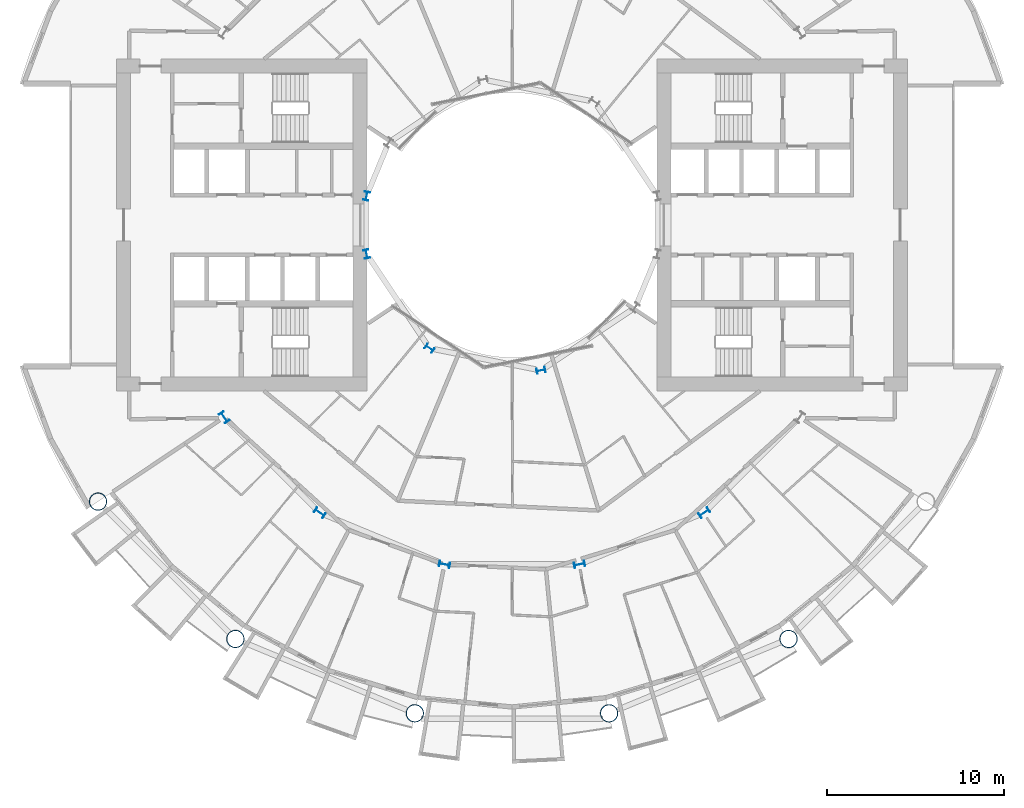
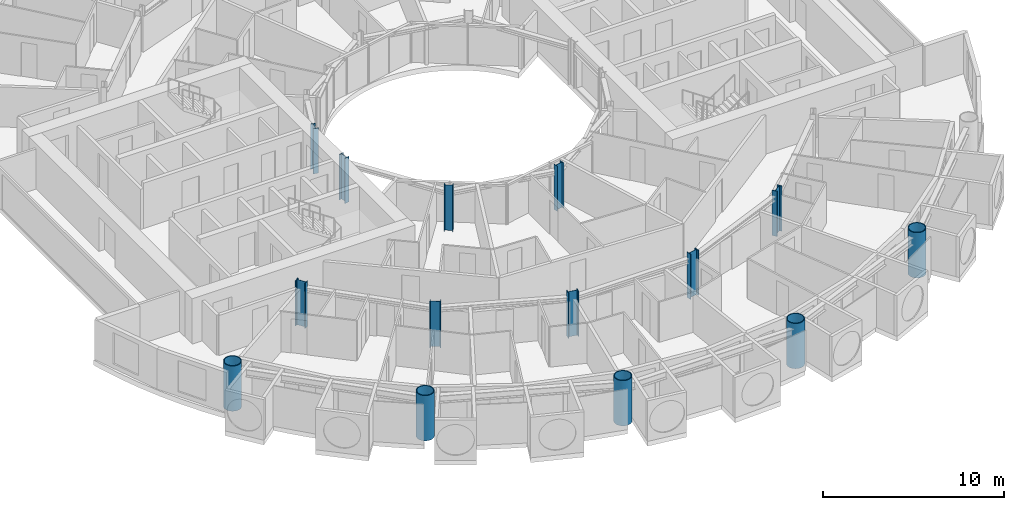
# One storey, part 1 of 25: 14 columns.
"""IFC4 building model written with IfcOpenShell, lengths in metres."""

from ifc_helpers import new_model, si_unit, direction, frame, origin, origin_2d, place, context, subcontext, project, spatial, hollow_circle, i_section, extrude, material, material_profile, profile_set, type_object, element, save


model = new_model("IFC4")

# Units and contexts
model_context = context("Model", 3, precision=1e-05, world=origin(), true_north=direction((0.0, 1.0)))
body_context = subcontext(model_context, "Body", "Model", "MODEL_VIEW")
ifc_project = project(units=[si_unit("LENGTHUNIT", "METRE"), si_unit("AREAUNIT", "SQUARE_METRE"), si_unit("VOLUMEUNIT", "CUBIC_METRE"), si_unit("PLANEANGLEUNIT", "RADIAN"), si_unit("MASSUNIT", "GRAM", prefix="KILO")], contexts=[model_context])

# Site, building, storey
site_placement = place(None, origin())
site = spatial("IfcSite", under=ifc_project, at=site_placement, CompositionType="ELEMENT")
building_placement = place(site_placement, origin())
building = spatial("IfcBuilding", under=site, at=building_placement, Name="Maasbend Ring Residences", CompositionType="ELEMENT")
storey_placement = place(building_placement, frame((0.0, 0.0, 41.10009765625)))
storey = spatial("IfcBuildingStorey", under=building, at=storey_placement, Name="L11", CompositionType="ELEMENT", Elevation=41.10009765625)

# Columns
ifc_material_1 = material(Name="Composite concrete-filled steel tube S460NH / C80/95", Category="concrete")
ifc_material_profile_1 = material_profile(ifc_material_1, hollow_circle(Radius=0.508056640625, WallThickness=0.050048828125, at=origin_2d()), Name="Composite tube column CHS 1016x50")
ifc_profile_set_1 = profile_set([ifc_material_profile_1], Name="Composite concrete-filled steel tube S460NH / C80/95")
column_type_1 = type_object("IfcColumnType", Name="Composite tube column CHS 1016x50", PredefinedType="COLUMN", material=ifc_profile_set_1)
for number, where, z_axis, x_axis, name in (
    (1, (-23.447509765625, -15.6669921875, 0.0), (0.0, 0.0, 1.0), (1.0, 0.0, 0.0), "Outer column R10"),
    (2, (-15.6669921875, -23.447509765625, 0.0), (0.0, 0.0, 1.0), (1.0, 0.0, 0.0), "Outer column R11"),
    (3, (-5.50146484375, -27.658203125, 0.0), (0.0, 0.0, 1.0), (1.0, 0.0, 0.0), "Outer column R12"),
    (4, (5.50146484375, -27.658203125, 0.0), (0.0, 0.0, 1.0), (1.0, 0.0, 0.0), "Outer column R13"),
    (5, (15.6669921875, -23.447509765625, 0.0), (0.0, 0.0, 1.0), (1.0, 0.0, 0.0), "Outer column R14"),
):
    element("IfcColumn", number, at=place(storey_placement, frame(where, z_axis=z_axis, x_axis=x_axis)), inside=storey, type_object=column_type_1, Name=name, PredefinedType="COLUMN", context=body_context, shape_type="SweptSolid", body=[
        extrude(hollow_circle(Radius=0.508056640625, WallThickness=0.050048828125, at=origin_2d()), origin(), (0.0, 0.0, 1.0), 3.0498046875),
    ])
ifc_material_2 = material(Name="Steel S355J2", Category="steel")
ifc_material_profile_2 = material_profile(ifc_material_2, i_section(OverallWidth=0.300048828125, OverallDepth=0.5, WebThickness=0.014404296875, FlangeThickness=0.028076171875, FilletRadius=0.027099609375, at=origin_2d()), Name="HEB 500")
ifc_profile_set_2 = profile_set([ifc_material_profile_2], Name="Steel S355J2")
column_type_2 = type_object("IfcColumnType", Name="Steel column HEB 500", PredefinedType="COLUMN", material=ifc_profile_set_2)
for number, where, z_axis, x_axis, name in (
    (6, (-8.238525390625, 1.638916015625, 0.0), (0.0, 0.0, 1.0), (-0.980785280403, 0.195090322016, 0.0), "Well ring column R8"),
    (7, (-8.238525390625, -1.638916015625, 0.0), (0.0, 0.0, 1.0), (-0.980785280403, -0.195090322016, 0.0), "Well ring column R9"),
    (8, (-4.666748046875, -6.984375, 0.0), (0.0, 0.0, 1.0), (-0.55557023302, -0.831469612303, 0.0), "Well ring column R11"),
    (9, (1.638916015625, -8.238525390625, 0.0), (0.0, 0.0, 1.0), (0.195090322016, -0.980785280403, 0.0), "Well ring column R13"),
):
    element("IfcColumn", number, at=place(storey_placement, frame(where, z_axis=z_axis, x_axis=x_axis)), inside=storey, type_object=column_type_2, Name=name, PredefinedType="COLUMN", context=body_context, shape_type="SweptSolid", body=[
        extrude(i_section(OverallWidth=0.300048828125, OverallDepth=0.5, WebThickness=0.014404296875, FlangeThickness=0.028076171875, FilletRadius=0.027099609375, at=origin_2d()), origin(), (0.0, 0.0, 1.0), 3.0498046875),
    ])
ifc_material_3 = material(Name="Steel S460M", Category="steel")
ifc_material_profile_3 = material_profile(ifc_material_3, i_section(OverallWidth=0.304931640625, OverallDepth=0.6201171875, WebThickness=0.02099609375, FlangeThickness=0.0400390625, FilletRadius=0.027099609375, at=origin_2d()), Name="HEM 600")
ifc_profile_set_3 = profile_set([ifc_material_profile_3], Name="Steel S460M")
column_type_3 = type_object("IfcColumnType", Name="Steel column HEM 600", PredefinedType="COLUMN", material=ifc_profile_set_3)
for number, where, z_axis, x_axis, name in (
    (10, (-16.296875, -10.88916015625, 0.0), (0.0, 0.0, 1.0), (-0.831469612303, -0.55557023302, 0.0), "Corridor ring column R10"),
    (11, (-10.88916015625, -16.296875, 0.0), (0.0, 0.0, 1.0), (-0.55557023302, -0.831469612303, 0.0), "Corridor ring column R11"),
    (12, (-3.82373046875, -19.223388671875, 0.0), (0.0, 0.0, 1.0), (-0.195090322016, -0.980785280403, 0.0), "Corridor ring column R12"),
    (13, (3.82373046875, -19.223388671875, 0.0), (0.0, 0.0, 1.0), (0.195090322016, -0.980785280403, 0.0), "Corridor ring column R13"),
    (14, (10.88916015625, -16.296875, 0.0), (0.0, 0.0, 1.0), (0.55557023302, -0.831469612303, 0.0), "Corridor ring column R14"),
):
    element("IfcColumn", number, at=place(storey_placement, frame(where, z_axis=z_axis, x_axis=x_axis)), inside=storey, type_object=column_type_3, Name=name, PredefinedType="COLUMN", context=body_context, shape_type="SweptSolid", body=[
        extrude(i_section(OverallWidth=0.304931640625, OverallDepth=0.6201171875, WebThickness=0.02099609375, FlangeThickness=0.0400390625, FilletRadius=0.027099609375, at=origin_2d()), origin(), (0.0, 0.0, 1.0), 3.0498046875),
    ])

save(model, "model.ifc")
